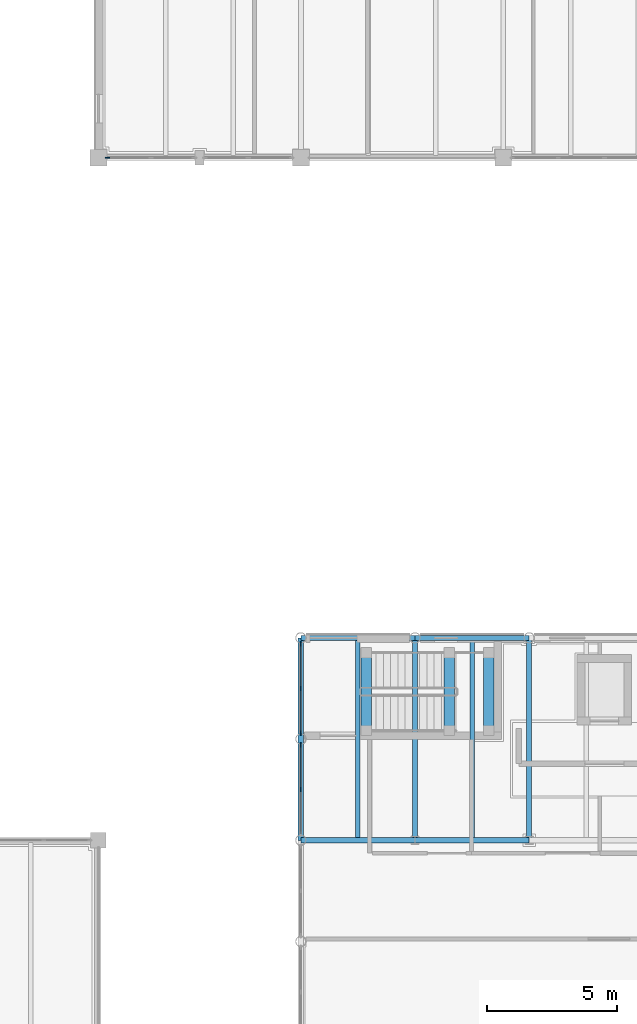
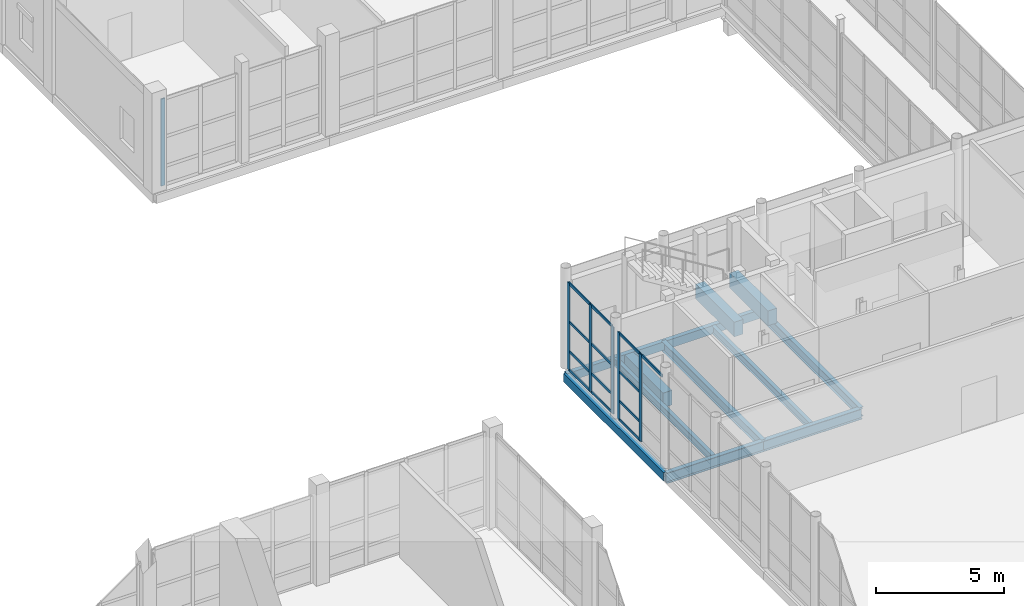
# One storey, part 46 of 131: 19 members, 12 beams, 3 elements without a shape of their own.
"""IFC4 building model written with IfcOpenShell, lengths in metres."""

from ifc_helpers import new_model, si_unit, direction, frame, origin, origin_2d, place, context, subcontext, project, spatial, rectangle, hollow_rectangle, i_section, extrude, material, layer, layer_set, material_profile, profile_set, type_object, element, aggregate, save


model = new_model("IFC4")

# Units and contexts
model_context = context("Model", 3, precision=1e-05, world=origin(), true_north=direction((0.0, 1.0)))
body_context = subcontext(model_context, "Body", "Model", "MODEL_VIEW")
ifc_project = project(units=[si_unit("LENGTHUNIT", "METRE"), si_unit("AREAUNIT", "SQUARE_METRE"), si_unit("VOLUMEUNIT", "CUBIC_METRE"), si_unit("PLANEANGLEUNIT", "RADIAN"), si_unit("MASSUNIT", "GRAM", prefix="KILO")], contexts=[model_context])

# Site, building, storey
site_placement = place(None, origin())
site = spatial("IfcSite", under=ifc_project, at=site_placement, CompositionType="ELEMENT")
building_placement = place(site_placement, origin())
building = spatial("IfcBuilding", under=site, at=building_placement, Name="Celorna Specialist Clinic", CompositionType="ELEMENT")
storey_placement = place(building_placement, origin())
storey = spatial("IfcBuildingStorey", under=building, at=storey_placement, Name="L00", CompositionType="ELEMENT", Elevation=0.0)

# Beams
ifc_material_1 = material(Name="Steel S355", Category="steel")
ifc_material_profile_1 = material_profile(ifc_material_1, i_section(OverallWidth=0.199951171875, OverallDepth=0.5, WebThickness=0.01025390625, FlangeThickness=0.01611328125, at=origin_2d()), Name="IPE 500")
ifc_profile_set_1 = profile_set([ifc_material_profile_1], Name="Steel S355")
beam_type_1 = type_object("IfcBeamType", Name="BM-08", PredefinedType="BEAM", material=ifc_profile_set_1)
for number, where, z_axis, x_axis, name in (
    (1, (54.60009765625, 70.199951171875, -0.550048828125), (1.0, 0.0, 0.0), (0.0, 1.0, 0.0), "Primary girder BM-08 #139"),
    (2, (59.0, 70.199951171875, -0.550048828125), (1.0, 0.0, 0.0), (0.0, 1.0, 0.0), "Primary girder BM-08 #140"),
):
    element("IfcBeam", number, at=place(storey_placement, frame(where, z_axis=z_axis, x_axis=x_axis)), inside=storey, type_object=beam_type_1, Name=name, PredefinedType="BEAM", context=body_context, shape_type="SweptSolid", body=[
        extrude(i_section(OverallWidth=0.199951171875, OverallDepth=0.5, WebThickness=0.01025390625, FlangeThickness=0.01611328125, at=origin_2d()), origin(), (0.0, 0.0, 1.0), 4.39990234375),
    ])
ifc_material_profile_2 = material_profile(ifc_material_1, i_section(OverallWidth=0.18994140625, OverallDepth=0.449951171875, WebThickness=0.009521484375, FlangeThickness=0.0146484375, at=origin_2d()), Name="IPE 450")
ifc_profile_set_2 = profile_set([ifc_material_profile_2], Name="Steel S355")
beam_type_2 = type_object("IfcBeamType", Name="BM-09", PredefinedType="BEAM", material=ifc_profile_set_2)
for number, where, z_axis, x_axis, name in (
    (3, (59.0, 70.199951171875, -0.52490234375), (0.0, 1.0, 0.0), (-1.0, 0.0, 0.0), "Transverse girder BM-09 #165"),
    (4, (63.39990234375, 70.199951171875, -0.52490234375), (0.0, 1.0, 0.0), (-1.0, 0.0, 0.0), "Transverse girder BM-09 #166"),
):
    element("IfcBeam", number, at=place(storey_placement, frame(where, z_axis=z_axis, x_axis=x_axis)), inside=storey, type_object=beam_type_2, Name=name, PredefinedType="BEAM", context=body_context, shape_type="SweptSolid", body=[
        extrude(i_section(OverallWidth=0.18994140625, OverallDepth=0.449951171875, WebThickness=0.009521484375, FlangeThickness=0.0146484375, at=origin_2d()), origin(), (0.0, 0.0, 1.0), 7.800048828125),
    ])
ifc_material_profile_3 = material_profile(ifc_material_1, i_section(OverallWidth=0.169921875, OverallDepth=0.360107421875, WebThickness=0.008056640625, FlangeThickness=0.0126953125, at=origin_2d()), Name="IPE 360")
ifc_profile_set_3 = profile_set([ifc_material_profile_3], Name="Steel S355")
beam_type_3 = type_object("IfcBeamType", Name="BM-11", PredefinedType="JOIST", material=ifc_profile_set_3)
for number, where, z_axis, x_axis, name in (
    (5, (56.800048828125, 70.2880859375, -0.47998046875), (0.0, 1.0, 0.0), (-1.0, 0.0, 0.0), "Secondary floor joist BM-11 #179"),
    (6, (61.199951171875, 70.2880859375, -0.47998046875), (0.0, 1.0, 0.0), (-1.0, 0.0, 0.0), "Secondary floor joist BM-11 #180"),
):
    element("IfcBeam", number, at=place(storey_placement, frame(where, z_axis=z_axis, x_axis=x_axis)), inside=storey, type_object=beam_type_3, Name=name, PredefinedType="JOIST", context=body_context, shape_type="SweptSolid", body=[
        extrude(i_section(OverallWidth=0.169921875, OverallDepth=0.360107421875, WebThickness=0.008056640625, FlangeThickness=0.0126953125, at=origin_2d()), origin(), (0.0, 0.0, 1.0), 7.6240234375),
    ])
ifc_material_profile_4 = material_profile(ifc_material_1, hollow_rectangle(XDim=0.199951171875, YDim=0.39990234375, WallThickness=0.011962890625, at=origin_2d()), Name="RHS 200x400x12")
ifc_profile_set_4 = profile_set([ifc_material_profile_4], Name="Steel S355")
beam_type_4 = type_object("IfcBeamType", Name="BM-15", PredefinedType="SPANDREL", material=ifc_profile_set_4)
for number, where, z_axis, x_axis, name in (
    (7, (54.60009765625, 78.0, -0.5), (1.0, 0.0, 0.0), (0.0, 1.0, 0.0), "Spandrel beam BM-15 #150"),
    (8, (59.0, 78.0, -0.5), (1.0, 0.0, 0.0), (0.0, 1.0, 0.0), "Spandrel beam BM-15 #151"),
):
    element("IfcBeam", number, at=place(storey_placement, frame(where, z_axis=z_axis, x_axis=x_axis)), inside=storey, type_object=beam_type_4, Name=name, PredefinedType="SPANDREL", context=body_context, shape_type="SweptSolid", body=[
        extrude(hollow_rectangle(XDim=0.199951171875, YDim=0.39990234375, WallThickness=0.011962890625, at=origin_2d()), origin(), (0.0, 0.0, 1.0), 4.39990234375),
    ])
beam_placement = place(storey_placement, frame((54.60009765625, 70.199951171875, -0.5), z_axis=(0.0, 1.0, 0.0), x_axis=(-1.0, 0.0, 0.0)))
element("IfcBeam", 9, at=beam_placement, inside=storey, type_object=beam_type_4, Name="Spandrel beam BM-15 #164", PredefinedType="SPANDREL", context=body_context, shape_type="SweptSolid", body=[
    extrude(hollow_rectangle(XDim=0.199951171875, YDim=0.39990234375, WallThickness=0.011962890625, at=origin_2d()), origin(), (0.0, 0.0, 1.0), 7.800048828125),
])
ifc_material_2 = material(Name="Concrete C35/45", Category="concrete")
ifc_material_profile_5 = material_profile(ifc_material_2, rectangle(XDim=0.39990234375, YDim=0.699951171875, at=origin_2d()), Name="RC 400x700")
ifc_profile_set_5 = profile_set([ifc_material_profile_5], Name="Concrete C35/45")
beam_type_5 = type_object("IfcBeamType", Name="BM-19", PredefinedType="BEAM", material=ifc_profile_set_5)
for number, where, z_axis, x_axis, name in (
    (10, (57.1201171875, 74.429931640625, -0.27490234375), (0.0, 1.0, 0.0), (-1.0, 0.0, 0.0), "Stair ST-10 floor landing trimmer beam L00"),
    (11, (60.320068359375, 74.429931640625, 1.97509765625), (0.0, 1.0, 0.0), (-1.0, 0.0, 0.0), "Stair ST-10 half-landing beam L00"),
    (12, (61.840087890625, 74.429931640625, 1.97509765625), (0.0, 1.0, 0.0), (-1.0, 0.0, 0.0), "Stair ST-10 half-landing beam L00"),
):
    element("IfcBeam", number, at=place(storey_placement, frame(where, z_axis=z_axis, x_axis=x_axis)), inside=storey, type_object=beam_type_5, Name=name, PredefinedType="BEAM", context=body_context, shape_type="SweptSolid", body=[
        extrude(rectangle(XDim=0.39990234375, YDim=0.699951171875, at=origin_2d()), origin(), (0.0, 0.0, 1.0), 3.0),
    ])

# Curtain wall, members
ifc_material_3 = material(Name="Thermally broken aluminium and solar-control glass curtain wall", Category="aluminium")
ifc_layer_1 = layer(ifc_material_3, 0.159912109375, Name="Thermally broken aluminium and solar-control glass curtain wall")
ifc_layer_set_1 = layer_set([ifc_layer_1], Name="Thermally broken aluminium and solar-control glass curtain wall")
curtain_wall_type_1 = type_object("IfcCurtainWallType", Name="CW-07", PredefinedType="NOTDEFINED", material=ifc_layer_set_1)
curtain_wall_1_placement = place(storey_placement, origin())
curtain_wall_1 = element("IfcCurtainWall", 13, at=curtain_wall_1_placement, inside=storey, type_object=curtain_wall_type_1, Name="Curtain wall CW-07 #16", PredefinedType="NOTDEFINED")
ifc_material_4 = material(Name="Anodized aluminium mullion", Category="aluminium")
ifc_material_profile_6 = material_profile(ifc_material_4, rectangle(XDim=0.050048828125, YDim=0.179931640625, at=origin_2d()), Name="ALU MULLION 50x180")
ifc_profile_set_6 = profile_set([ifc_material_profile_6], Name="Anodized aluminium mullion")
member_type_1 = type_object("IfcMemberType", Name="ML-02", PredefinedType="MULLION", material=ifc_profile_set_6)
member_1_placement = place(storey_placement, frame((54.60009765625, 72.14990234375, 0.0), z_axis=(0.0, 0.0, 1.0), x_axis=(-1.0, 0.0, 0.0)))
member_1 = element("IfcMember", 14, at=member_1_placement, type_object=member_type_1, Name="CW-07 mullion 2", PredefinedType="MULLION", context=body_context, shape_type="SweptSolid", body=[
    extrude(rectangle(XDim=0.050048828125, YDim=0.179931640625, at=origin_2d()), origin(), (0.0, 0.0, 1.0), 4.139892578125),
])
member_2_placement = place(storey_placement, frame((54.60009765625, 73.867919921875, 0.0), z_axis=(0.0, 0.0, 1.0), x_axis=(-1.0, 0.0, 0.0)))
member_2 = element("IfcMember", 15, at=member_2_placement, type_object=member_type_1, Name="CW-07 mullion 3", PredefinedType="MULLION", context=body_context, shape_type="SweptSolid", body=[
    extrude(rectangle(XDim=0.050048828125, YDim=0.179931640625, at=origin_2d()), origin(), (0.0, 0.0, 1.0), 4.139892578125),
])

curtain_wall_2_placement = place(storey_placement, origin())
curtain_wall_2 = element("IfcCurtainWall", 16, at=curtain_wall_2_placement, inside=storey, type_object=curtain_wall_type_1, Name="Curtain wall CW-07 #17", PredefinedType="NOTDEFINED")
member_3_placement = place(storey_placement, frame((54.60009765625, 74.332275390625, 0.0), z_axis=(0.0, 0.0, 1.0), x_axis=(-1.0, 0.0, 0.0)))
member_3 = element("IfcMember", 17, at=member_3_placement, type_object=member_type_1, Name="CW-07 mullion 1", PredefinedType="MULLION", context=body_context, shape_type="SweptSolid", body=[
    extrude(rectangle(XDim=0.050048828125, YDim=0.179931640625, at=origin_2d()), origin(), (0.0, 0.0, 1.0), 4.139892578125),
])
member_4_placement = place(storey_placement, frame((54.60009765625, 76.050048828125, 0.0), z_axis=(0.0, 0.0, 1.0), x_axis=(-1.0, 0.0, 0.0)))
member_4 = element("IfcMember", 18, at=member_4_placement, type_object=member_type_1, Name="CW-07 mullion 2", PredefinedType="MULLION", context=body_context, shape_type="SweptSolid", body=[
    extrude(rectangle(XDim=0.050048828125, YDim=0.179931640625, at=origin_2d()), origin(), (0.0, 0.0, 1.0), 4.139892578125),
])
member_5_placement = place(storey_placement, frame((54.60009765625, 77.767822265625, 0.0), z_axis=(0.0, 0.0, 1.0), x_axis=(-1.0, 0.0, 0.0)))
member_5 = element("IfcMember", 19, at=member_5_placement, type_object=member_type_1, Name="CW-07 mullion 3", PredefinedType="MULLION", context=body_context, shape_type="SweptSolid", body=[
    extrude(rectangle(XDim=0.050048828125, YDim=0.179931640625, at=origin_2d()), origin(), (0.0, 0.0, 1.0), 4.139892578125),
])

# Curtain wall, member
ifc_layer_2 = layer(ifc_material_3, 0.159912109375, Name="Thermally broken aluminium and solar-control glass curtain wall")
ifc_layer_set_2 = layer_set([ifc_layer_2], Name="Thermally broken aluminium and solar-control glass curtain wall")
curtain_wall_type_2 = type_object("IfcCurtainWallType", Name="CW-46", PredefinedType="NOTDEFINED", material=ifc_layer_set_2)
curtain_wall_3_placement = place(storey_placement, origin())
curtain_wall_3 = element("IfcCurtainWall", 20, at=curtain_wall_3_placement, inside=storey, type_object=curtain_wall_type_2, Name="Curtain wall CW-46 #87", PredefinedType="NOTDEFINED")
member_6_placement = place(storey_placement, frame((47.154052734375, 96.5, 0.0), z_axis=(0.0, 0.0, 1.0), x_axis=(0.0, -1.0, 0.0)))
member_6 = element("IfcMember", 21, at=member_6_placement, type_object=member_type_1, Name="CW-46 mullion 3", PredefinedType="MULLION", context=body_context, shape_type="SweptSolid", body=[
    extrude(rectangle(XDim=0.050048828125, YDim=0.179931640625, at=origin_2d()), origin(), (0.0, 0.0, 1.0), 4.139892578125),
])
aggregate(curtain_wall_3, [member_6])

# Member
ifc_material_5 = material(Name="Anodized aluminium transom", Category="aluminium")
ifc_material_profile_7 = material_profile(ifc_material_5, rectangle(XDim=0.050048828125, YDim=0.1298828125, at=origin_2d()), Name="ALU TRANSOM 50x130")
ifc_profile_set_7 = profile_set([ifc_material_profile_7], Name="Anodized aluminium transom")
member_type_2 = type_object("IfcMemberType", Name="TR-01", PredefinedType="USERDEFINED", material=ifc_profile_set_7)
member_7_placement = place(storey_placement, frame((54.60009765625, 70.457275390625, 4.114990234375), z_axis=(0.0, 1.0, 0.0), x_axis=(-1.0, 0.0, 0.0)))
member_7 = element("IfcMember", 22, at=member_7_placement, type_object=member_type_2, Name="CW-07 transom 1.4", ObjectType="TRANSOM", PredefinedType="USERDEFINED", context=body_context, shape_type="SweptSolid", body=[
    extrude(rectangle(XDim=0.050048828125, YDim=0.1298828125, at=origin_2d()), origin(), (0.0, 0.0, 1.0), 1.667724609375),
])

member_8_placement = place(storey_placement, frame((54.60009765625, 72.175048828125, 0.02490234375), z_axis=(0.0, 1.0, 0.0), x_axis=(-1.0, 0.0, 0.0)))
member_8 = element("IfcMember", 23, at=member_8_placement, type_object=member_type_2, Name="CW-07 transom 2.1", ObjectType="TRANSOM", PredefinedType="USERDEFINED", context=body_context, shape_type="SweptSolid", body=[
    extrude(rectangle(XDim=0.050048828125, YDim=0.1298828125, at=origin_2d()), origin(), (0.0, 0.0, 1.0), 1.667724609375),
])

member_9_placement = place(storey_placement, frame((54.60009765625, 72.175048828125, 0.89990234375), z_axis=(0.0, 1.0, 0.0), x_axis=(-1.0, 0.0, 0.0)))
member_9 = element("IfcMember", 24, at=member_9_placement, type_object=member_type_2, Name="CW-07 transom 2.2", ObjectType="TRANSOM", PredefinedType="USERDEFINED", context=body_context, shape_type="SweptSolid", body=[
    extrude(rectangle(XDim=0.050048828125, YDim=0.1298828125, at=origin_2d()), origin(), (0.0, 0.0, 1.0), 1.667724609375),
])

member_10_placement = place(storey_placement, frame((54.60009765625, 72.175048828125, 2.300048828125), z_axis=(0.0, 1.0, 0.0), x_axis=(-1.0, 0.0, 0.0)))
member_10 = element("IfcMember", 25, at=member_10_placement, type_object=member_type_2, Name="CW-07 transom 2.3", ObjectType="TRANSOM", PredefinedType="USERDEFINED", context=body_context, shape_type="SweptSolid", body=[
    extrude(rectangle(XDim=0.050048828125, YDim=0.1298828125, at=origin_2d()), origin(), (0.0, 0.0, 1.0), 1.667724609375),
])

member_11_placement = place(storey_placement, frame((54.60009765625, 72.175048828125, 4.114990234375), z_axis=(0.0, 1.0, 0.0), x_axis=(-1.0, 0.0, 0.0)))
member_11 = element("IfcMember", 26, at=member_11_placement, type_object=member_type_2, Name="CW-07 transom 2.4", ObjectType="TRANSOM", PredefinedType="USERDEFINED", context=body_context, shape_type="SweptSolid", body=[
    extrude(rectangle(XDim=0.050048828125, YDim=0.1298828125, at=origin_2d()), origin(), (0.0, 0.0, 1.0), 1.667724609375),
])

aggregate(curtain_wall_1, [member_1, member_2, member_7, member_8, member_9, member_10, member_11])

member_12_placement = place(storey_placement, frame((54.60009765625, 74.357177734375, 0.02490234375), z_axis=(0.0, 1.0, 0.0), x_axis=(-1.0, 0.0, 0.0)))
member_12 = element("IfcMember", 27, at=member_12_placement, type_object=member_type_2, Name="CW-07 transom 1.1", ObjectType="TRANSOM", PredefinedType="USERDEFINED", context=body_context, shape_type="SweptSolid", body=[
    extrude(rectangle(XDim=0.050048828125, YDim=0.1298828125, at=origin_2d()), origin(), (0.0, 0.0, 1.0), 1.667724609375),
])

member_13_placement = place(storey_placement, frame((54.60009765625, 74.357177734375, 0.89990234375), z_axis=(0.0, 1.0, 0.0), x_axis=(-1.0, 0.0, 0.0)))
member_13 = element("IfcMember", 28, at=member_13_placement, type_object=member_type_2, Name="CW-07 transom 1.2", ObjectType="TRANSOM", PredefinedType="USERDEFINED", context=body_context, shape_type="SweptSolid", body=[
    extrude(rectangle(XDim=0.050048828125, YDim=0.1298828125, at=origin_2d()), origin(), (0.0, 0.0, 1.0), 1.667724609375),
])

member_14_placement = place(storey_placement, frame((54.60009765625, 74.357177734375, 2.300048828125), z_axis=(0.0, 1.0, 0.0), x_axis=(-1.0, 0.0, 0.0)))
member_14 = element("IfcMember", 29, at=member_14_placement, type_object=member_type_2, Name="CW-07 transom 1.3", ObjectType="TRANSOM", PredefinedType="USERDEFINED", context=body_context, shape_type="SweptSolid", body=[
    extrude(rectangle(XDim=0.050048828125, YDim=0.1298828125, at=origin_2d()), origin(), (0.0, 0.0, 1.0), 1.667724609375),
])

member_15_placement = place(storey_placement, frame((54.60009765625, 74.357177734375, 4.114990234375), z_axis=(0.0, 1.0, 0.0), x_axis=(-1.0, 0.0, 0.0)))
member_15 = element("IfcMember", 30, at=member_15_placement, type_object=member_type_2, Name="CW-07 transom 1.4", ObjectType="TRANSOM", PredefinedType="USERDEFINED", context=body_context, shape_type="SweptSolid", body=[
    extrude(rectangle(XDim=0.050048828125, YDim=0.1298828125, at=origin_2d()), origin(), (0.0, 0.0, 1.0), 1.667724609375),
])

member_16_placement = place(storey_placement, frame((54.60009765625, 76.074951171875, 0.02490234375), z_axis=(0.0, 1.0, 0.0), x_axis=(-1.0, 0.0, 0.0)))
member_16 = element("IfcMember", 31, at=member_16_placement, type_object=member_type_2, Name="CW-07 transom 2.1", ObjectType="TRANSOM", PredefinedType="USERDEFINED", context=body_context, shape_type="SweptSolid", body=[
    extrude(rectangle(XDim=0.050048828125, YDim=0.1298828125, at=origin_2d()), origin(), (0.0, 0.0, 1.0), 1.66796875),
])

member_17_placement = place(storey_placement, frame((54.60009765625, 76.074951171875, 0.89990234375), z_axis=(0.0, 1.0, 0.0), x_axis=(-1.0, 0.0, 0.0)))
member_17 = element("IfcMember", 32, at=member_17_placement, type_object=member_type_2, Name="CW-07 transom 2.2", ObjectType="TRANSOM", PredefinedType="USERDEFINED", context=body_context, shape_type="SweptSolid", body=[
    extrude(rectangle(XDim=0.050048828125, YDim=0.1298828125, at=origin_2d()), origin(), (0.0, 0.0, 1.0), 1.66796875),
])

member_18_placement = place(storey_placement, frame((54.60009765625, 76.074951171875, 2.300048828125), z_axis=(0.0, 1.0, 0.0), x_axis=(-1.0, 0.0, 0.0)))
member_18 = element("IfcMember", 33, at=member_18_placement, type_object=member_type_2, Name="CW-07 transom 2.3", ObjectType="TRANSOM", PredefinedType="USERDEFINED", context=body_context, shape_type="SweptSolid", body=[
    extrude(rectangle(XDim=0.050048828125, YDim=0.1298828125, at=origin_2d()), origin(), (0.0, 0.0, 1.0), 1.66796875),
])

member_19_placement = place(storey_placement, frame((54.60009765625, 76.074951171875, 4.114990234375), z_axis=(0.0, 1.0, 0.0), x_axis=(-1.0, 0.0, 0.0)))
member_19 = element("IfcMember", 34, at=member_19_placement, type_object=member_type_2, Name="CW-07 transom 2.4", ObjectType="TRANSOM", PredefinedType="USERDEFINED", context=body_context, shape_type="SweptSolid", body=[
    extrude(rectangle(XDim=0.050048828125, YDim=0.1298828125, at=origin_2d()), origin(), (0.0, 0.0, 1.0), 1.66796875),
])

aggregate(curtain_wall_2, [member_3, member_4, member_5, member_12, member_13, member_14, member_15, member_16, member_17, member_18, member_19])

save(model, "model.ifc")
